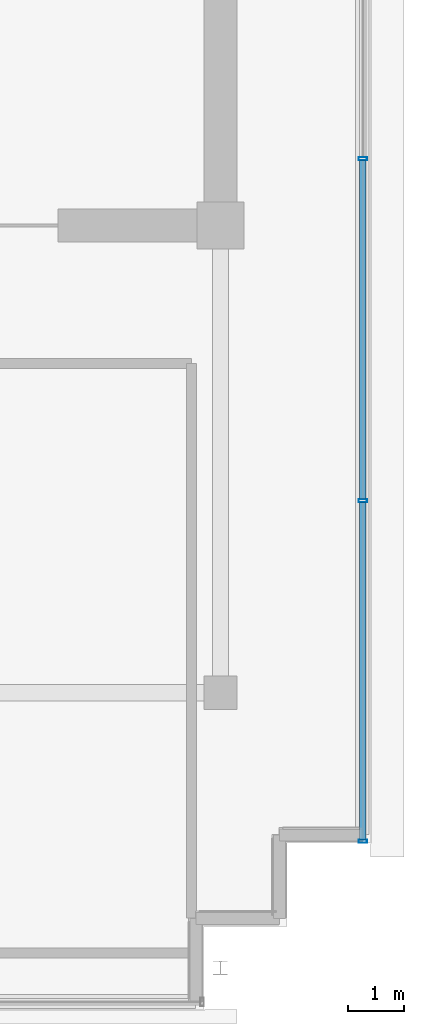
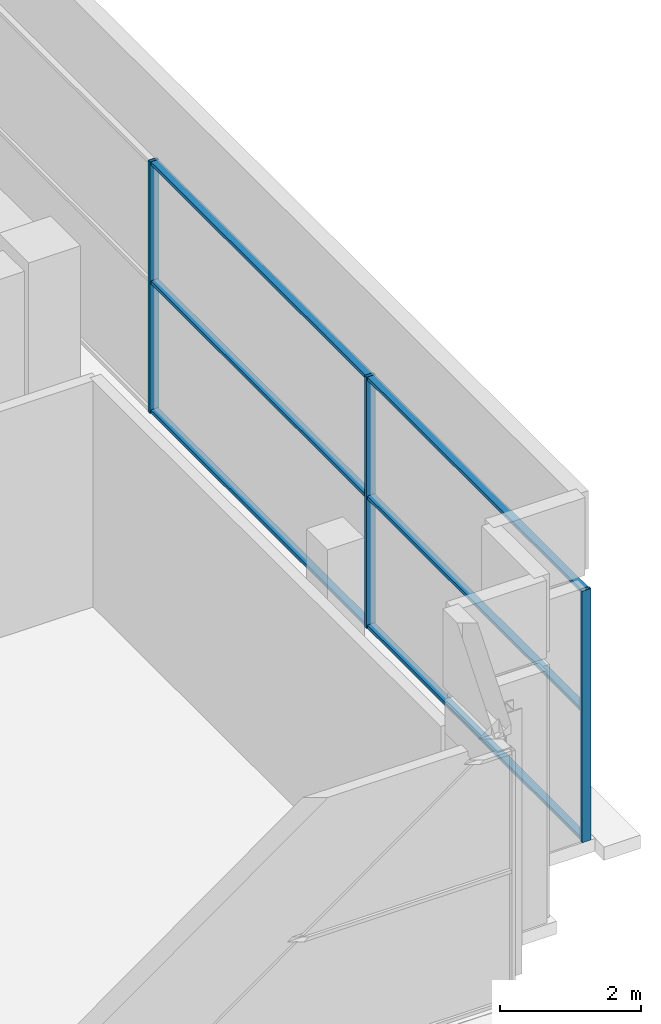
# One storey, part 17 of 22: 9 members, 1 element without a shape of its own.
"""IFC4 building model written with IfcOpenShell, lengths in metres."""

import ifcopenshell
import ifcopenshell.guid

model = None  # the IFC model being written
_history = None  # IfcOwnerHistory: only IFC2X3 demands one
_inside = {}  # id of a spatial element -> (the spatial element, [elements in it])
_under = {}  # id of a project, library or spatial element -> (it, [spatial elements below it])
_declared = {}  # id of a project -> (the project, [libraries it declares])
_typed = {}  # id of a type object -> (the type object, [elements of that type])
_made_of = {}  # id of a material, layer set ... -> (it, [elements and type objects made of it])


def new_model(schema):
    """Start an empty IFC model of exactly this schema.

    Asked for "IFC4X3", IfcOpenShell would pick the latest addendum, in which some entities
    have other attributes; the version numbers below select the first issue.
    IFC2X3 requires an IfcOwnerHistory on every rooted entity: one is made here for all.
    """
    global model, _history
    if schema == "IFC4X3":
        model = ifcopenshell.file(schema_version=(4, 3, 0, 0))
    else:
        model = ifcopenshell.file(schema=schema)
    _inside.clear()
    _under.clear()
    _declared.clear()
    _typed.clear()
    _made_of.clear()
    _history = None
    if model.schema == "IFC2X3":
        org = make("IfcOrganization", Name="unknown")
        user = make(
            "IfcPersonAndOrganization",
            ThePerson=make("IfcPerson", FamilyName="unknown"),
            TheOrganization=org,
        )
        app = make(
            "IfcApplication",
            ApplicationDeveloper=org,
            Version="unknown",
            ApplicationFullName="unknown",
            ApplicationIdentifier="unknown",
        )
        _history = make(
            "IfcOwnerHistory",
            OwningUser=user,
            OwningApplication=app,
            ChangeAction="ADDED",
            CreationDate=0,
        )
    return model


def make(cls, **values):
    """One entity of the class cls with the attributes given. An attribute that is None is left unset."""
    return model.create_entity(
        cls, **{name: value for name, value in values.items() if value is not None}
    )


def rooted(cls, **values):
    """An entity with a GlobalId (a new one), such as an element, a storey or a relation."""
    return make(cls, GlobalId=ifcopenshell.guid.new(), OwnerHistory=_history, **values)


def si_unit(unit_type, name, prefix=None):
    """IfcSIUnit, for example si_unit("LENGTHUNIT", "METRE", prefix="MILLI")."""
    return make("IfcSIUnit", UnitType=unit_type, Prefix=prefix, Name=name)


def assignment(units):
    """IfcUnitAssignment: the units of a project."""
    return None if units is None else make("IfcUnitAssignment", Units=units)


def point(xyz):
    """IfcCartesianPoint."""
    return None if xyz is None else make("IfcCartesianPoint", Coordinates=xyz)


def direction(xyz):
    """IfcDirection."""
    return None if xyz is None else make("IfcDirection", DirectionRatios=xyz)


def frame(location, z_axis=None, x_axis=None):
    """IfcAxis2Placement3D, a coordinate frame: its origin and axes. An axis left out is left unset."""
    return make(
        "IfcAxis2Placement3D",
        Location=point(location),
        Axis=direction(z_axis),
        RefDirection=direction(x_axis),
    )


def frame_2d(location, x_axis=None):
    """IfcAxis2Placement2D, a coordinate frame in the plane: its origin and x axis."""
    return make(
        "IfcAxis2Placement2D", Location=point(location), RefDirection=direction(x_axis)
    )


def origin():
    """The frame at (0, 0, 0) with its axes left unset."""
    return frame((0.0, 0.0, 0.0))


def origin_2d():
    """The frame at (0, 0) in the plane with its x axis left unset."""
    return frame_2d((0.0, 0.0))


def place(relative_to, where):
    """IfcLocalPlacement: puts the frame where relative to a parent placement (None: the world)."""
    return make(
        "IfcLocalPlacement", PlacementRelTo=relative_to, RelativePlacement=where
    )


def context(
    kind, dimensions, precision=None, world=None, true_north=None, identifier=None
):
    """IfcGeometricRepresentationContext, for example the 3D "Model" context."""
    return make(
        "IfcGeometricRepresentationContext",
        ContextIdentifier=identifier,
        ContextType=kind,
        CoordinateSpaceDimension=dimensions,
        Precision=precision,
        WorldCoordinateSystem=world,
        TrueNorth=true_north,
    )


def subcontext(parent, identifier, kind, view, scale=None):
    """IfcGeometricRepresentationSubContext, for example "Body" below "Model"."""
    return make(
        "IfcGeometricRepresentationSubContext",
        ContextIdentifier=identifier,
        ContextType=kind,
        ParentContext=parent,
        TargetScale=scale,
        TargetView=view,
    )


def project(units=None, contexts=None):
    """IfcProject with its units and contexts."""
    return rooted(
        "IfcProject",
        Name="project",
        RepresentationContexts=contexts,
        UnitsInContext=assignment(units),
    )


def spatial(cls, under=None, at=None, **own):
    """A site, building, storey or space (cls), placed at a placement, below another one or the project."""
    s = rooted(cls, ObjectPlacement=at, **own)
    if under is not None:
        _under.setdefault(under.id(), (under, []))[1].append(s)
    return s


def profile(cls, at=None, kind="AREA", **sizes):
    """A parametric profile (cls). Its sizes go by their IFC names, for example OverallWidth=200.0."""
    return make(cls, ProfileType=kind, Position=at, **sizes)


def hollow_rectangle(**sizes):
    """IfcRectangleHollowProfileDef."""
    return profile("IfcRectangleHollowProfileDef", **sizes)


def extrude(swept, where, along, depth):
    """IfcExtrudedAreaSolid: the profile swept, set in the frame where, extruded along a direction by depth."""
    return make(
        "IfcExtrudedAreaSolid",
        SweptArea=swept,
        Position=where,
        ExtrudedDirection=direction(along),
        Depth=depth,
    )


def shape(context_of_items, identifier, shape_type, items):
    """IfcShapeRepresentation: the items that make up one representation, for example the "Body"."""
    return make(
        "IfcShapeRepresentation",
        ContextOfItems=context_of_items,
        RepresentationIdentifier=identifier,
        RepresentationType=shape_type,
        Items=items,
    )


def source(mapping_origin, context_of_items, identifier, shape_type, items):
    """IfcRepresentationMap: a shape defined once, which mapped items show again and again."""
    return make(
        "IfcRepresentationMap",
        MappingOrigin=mapping_origin,
        MappedRepresentation=shape(context_of_items, identifier, shape_type, items),
    )


def transform(
    local_origin,
    x_axis=None,
    y_axis=None,
    z_axis=None,
    scale=None,
    scale2=None,
    scale3=None,
    uniform=True,
):
    """IfcCartesianTransformationOperator3D, or its non-uniform kind. x_axis, y_axis, z_axis: its Axis1, 2, 3."""
    if uniform:
        return make(
            "IfcCartesianTransformationOperator3D",
            Axis1=direction(x_axis),
            Axis2=direction(y_axis),
            LocalOrigin=point(local_origin),
            Scale=scale,
            Axis3=direction(z_axis),
        )
    return make(
        "IfcCartesianTransformationOperator3DnonUniform",
        Axis1=direction(x_axis),
        Axis2=direction(y_axis),
        LocalOrigin=point(local_origin),
        Scale=scale,
        Axis3=direction(z_axis),
        Scale2=scale2,
        Scale3=scale3,
    )


def mapped(mapping_source, mapping_target):
    """IfcMappedItem: shows the shape of a source again, moved by a transform."""
    return make(
        "IfcMappedItem", MappingSource=mapping_source, MappingTarget=mapping_target
    )


def material(Name=None, Category=None):
    """IfcMaterial."""
    return make("IfcMaterial", Name=Name, Category=Category)


def layer(
    of_material, thickness, ventilated=None, Name=None, Category=None, Priority=None
):
    """IfcMaterialLayer: one layer of a wall or slab, of a material (None: an air gap)."""
    return make(
        "IfcMaterialLayer",
        Material=of_material,
        LayerThickness=thickness,
        IsVentilated=ventilated,
        Name=Name,
        Category=Category,
        Priority=Priority,
    )


def layer_set(layers, Name=None):
    """IfcMaterialLayerSet."""
    return make("IfcMaterialLayerSet", MaterialLayers=layers, LayerSetName=Name)


def material_profile(
    of_material, cross_section, Name=None, Category=None, Priority=None
):
    """IfcMaterialProfile: a cross section and its material."""
    return make(
        "IfcMaterialProfile",
        Name=Name,
        Material=of_material,
        Profile=cross_section,
        Priority=Priority,
        Category=Category,
    )


def profile_set(profiles, Name=None, composite=None):
    """IfcMaterialProfileSet."""
    return make(
        "IfcMaterialProfileSet",
        Name=Name,
        MaterialProfiles=profiles,
        CompositeProfile=composite,
    )


def made_of(thing, what):
    """Note that an element or type object is made of a material, layer set ...; save() writes the relation."""
    if what is not None:
        _made_of.setdefault(what.id(), (what, []))[1].append(thing)
    return thing


def type_object(cls, material=None, **own):
    """A type object (cls), such as IfcWallType, which elements share."""
    return made_of(rooted(cls, **own), material)


def element(
    cls,
    number,
    at=None,
    inside=None,
    cuts=None,
    type_object=None,
    material=None,
    context=None,
    identifier="Body",
    shape_type=None,
    held_by="IfcProductDefinitionShape",
    body=None,
    shapes=None,
    **own,
):
    """One element of the class cls, such as IfcWall. Its Tag is "e" and its number.

    at: its placement. inside: the storey or other place that contains it. cuts: it is an
    opening in that element (IfcRelVoidsElement). A single representation is given by context,
    identifier, shape_type and body (its items); several are given by shapes. held_by: the class
    of the entity that holds the representations. save() writes the other relations.
    """
    e = rooted(cls, Tag="e%d" % number, ObjectPlacement=at, **own)
    if body is not None:
        shapes = [shape(context, identifier, shape_type, body)]
    if shapes is not None:
        e.Representation = make(held_by, Representations=shapes)
    if inside is not None:
        _inside.setdefault(inside.id(), (inside, []))[1].append(e)
    if cuts is not None:
        rooted(
            "IfcRelVoidsElement", RelatingBuildingElement=cuts, RelatedOpeningElement=e
        )
    if type_object is not None:
        _typed.setdefault(type_object.id(), (type_object, []))[1].append(e)
    return made_of(e, material)


def aggregate(whole, parts):
    """IfcRelAggregates: a whole, such as a stair, and the parts it consists of."""
    return rooted("IfcRelAggregates", RelatingObject=whole, RelatedObjects=parts)


def save(model, path):
    """Write the relations noted so far, then the file.

    IfcRelAggregates (storeys below a building ...), IfcRelContainedInSpatialStructure (elements
    in a storey), IfcRelDefinesByType, IfcRelAssociatesMaterial and IfcRelDeclares: one each for
    every whole, place, type object, material and project.
    """
    for whole, parts in _under.values():
        aggregate(whole, parts)
    for where, things in _inside.values():
        rooted(
            "IfcRelContainedInSpatialStructure",
            RelatedElements=things,
            RelatingStructure=where,
        )
    for kind, things in _typed.values():
        rooted("IfcRelDefinesByType", RelatedObjects=things, RelatingType=kind)
    for what, things in _made_of.values():
        rooted("IfcRelAssociatesMaterial", RelatedObjects=things, RelatingMaterial=what)
    for by, libraries in _declared.values():
        rooted("IfcRelDeclares", RelatingContext=by, RelatedDefinitions=libraries)
    model.write(path)


model = new_model("IFC4")

# Units and contexts
model_context = context("Model", 3, precision=1e-05, world=origin(), true_north=direction((0.0, 1.0)))
body_context = subcontext(model_context, "Body", "Model", "MODEL_VIEW")
ifc_project = project(units=[si_unit("LENGTHUNIT", "METRE"), si_unit("AREAUNIT", "SQUARE_METRE"), si_unit("VOLUMEUNIT", "CUBIC_METRE"), si_unit("PLANEANGLEUNIT", "RADIAN"), si_unit("MASSUNIT", "GRAM", prefix="KILO")], contexts=[model_context])

# Site, building, storey
site_placement = place(None, origin())
site = spatial("IfcSite", under=ifc_project, at=site_placement, CompositionType="ELEMENT")
building_placement = place(site_placement, origin())
building = spatial("IfcBuilding", under=site, at=building_placement, Name="Zarnakvel Exchange Tower", CompositionType="ELEMENT")
storey_placement = place(building_placement, frame((0.0, 0.0, 299.199951171875)))
storey = spatial("IfcBuildingStorey", under=building, at=storey_placement, Name="Crown L83", CompositionType="ELEMENT", Elevation=299.199951171875)

# Curtain wall, members
ifc_material = material(Name="Architectural Bronze Anodised Aluminium", Category="aluminium")
ifc_layer = layer(ifc_material, 0.14990234375)
ifc_layer_set = layer_set([ifc_layer], Name="Architectural Bronze Anodised Aluminium")
curtain_wall_type = type_object("IfcCurtainWallType", Name="CW-07", PredefinedType="NOTDEFINED", material=ifc_layer_set)
curtain_wall_placement = place(storey_placement, origin())
curtain_wall = element("IfcCurtainWall", 1, at=curtain_wall_placement, inside=storey, type_object=curtain_wall_type, Name="Crown L83 Curtain Wall CW-Crown L83-E (CW-07)", PredefinedType="NOTDEFINED")
ifc_material_profile_1 = material_profile(ifc_material, hollow_rectangle(XDim=0.14990234375, YDim=0.06005859375, WallThickness=0.00390625, at=origin_2d()))
ifc_profile_set_1 = profile_set([ifc_material_profile_1], Name="Architectural Bronze Anodised Aluminium")
member_type_1 = type_object("IfcMemberType", Name="CWM-07", PredefinedType="MULLION", material=ifc_profile_set_1)
shared_shape_1 = source(origin(), body_context, "Body", "SweptSolid", [
    extrude(hollow_rectangle(XDim=0.14990234375, YDim=0.06005859375, WallThickness=0.00390625, at=origin_2d()), origin(), (0.0, 0.0, 1.0), 4.360107421875),
])
member_1_placement = place(storey_placement, frame((16.9599609375, -12.27001953125, 0.0), z_axis=(0.0, 0.0, 1.0), x_axis=(-1.0, 0.0, 0.0)))
member_1 = element("IfcMember", 2, at=member_1_placement, type_object=member_type_1, Name="CW-07 mullion 1", PredefinedType="MULLION", context=body_context, shape_type="MappedRepresentation", body=[
    mapped(shared_shape_1, transform((0.0, 0.0, 0.0), x_axis=(1.0, 0.0, 0.0), y_axis=(0.0, 1.0, 0.0), z_axis=(0.0, 0.0, 1.0), scale=1.0)),
])
member_2_placement = place(storey_placement, frame((16.9599609375, -6.14990234375, 0.0), z_axis=(0.0, 0.0, 1.0), x_axis=(-1.0, 0.0, 0.0)))
member_2 = element("IfcMember", 3, at=member_2_placement, type_object=member_type_1, Name="CW-07 mullion 2", PredefinedType="MULLION", context=body_context, shape_type="MappedRepresentation", body=[
    mapped(shared_shape_1, transform((0.0, 0.0, 0.0), x_axis=(1.0, 0.0, 0.0), y_axis=(0.0, 1.0, 0.0), z_axis=(0.0, 0.0, 1.0), scale=1.0)),
])
member_3_placement = place(storey_placement, frame((16.9599609375, 0.0, 0.0), z_axis=(0.0, 0.0, 1.0), x_axis=(-1.0, 0.0, 0.0)))
member_3 = element("IfcMember", 4, at=member_3_placement, type_object=member_type_1, Name="CW-07 mullion 3", PredefinedType="MULLION", context=body_context, shape_type="MappedRepresentation", body=[
    mapped(shared_shape_1, transform((0.0, 0.0, 0.0), x_axis=(1.0, 0.0, 0.0), y_axis=(0.0, 1.0, 0.0), z_axis=(0.0, 0.0, 1.0), scale=1.0)),
])
ifc_material_profile_2 = material_profile(ifc_material, hollow_rectangle(XDim=0.1201171875, YDim=0.06005859375, WallThickness=0.00390625, at=origin_2d()))
ifc_profile_set_2 = profile_set([ifc_material_profile_2], Name="Architectural Bronze Anodised Aluminium")
member_type_2 = type_object("IfcMemberType", Name="CWT-07", PredefinedType="USERDEFINED", material=ifc_profile_set_2)
shared_shape_2 = source(origin(), body_context, "Body", "SweptSolid", [
    extrude(hollow_rectangle(XDim=0.1201171875, YDim=0.06005859375, WallThickness=0.00390625, at=origin_2d()), origin(), (0.0, 0.0, 1.0), 6.06005859375),
])
member_4_placement = place(storey_placement, frame((16.9599609375, -12.239990234375, 0.030029296875), z_axis=(0.0, 1.0, 0.0), x_axis=(-1.0, 0.0, 0.0)))
member_4 = element("IfcMember", 5, at=member_4_placement, type_object=member_type_2, Name="CW-07 transom 1.1", ObjectType="TRANSOM", PredefinedType="USERDEFINED", context=body_context, shape_type="MappedRepresentation", body=[
    mapped(shared_shape_2, transform((0.0, 0.0, 0.0), x_axis=(1.0, 0.0, 0.0), y_axis=(0.0, 1.0, 0.0), z_axis=(0.0, 0.0, 1.0), scale=1.0)),
])
member_5_placement = place(storey_placement, frame((16.9599609375, -12.239990234375, 2.267333984375), z_axis=(0.0, 1.0, 0.0), x_axis=(-1.0, 0.0, 0.0)))
member_5 = element("IfcMember", 6, at=member_5_placement, type_object=member_type_2, Name="CW-07 transom 1.2", ObjectType="TRANSOM", PredefinedType="USERDEFINED", context=body_context, shape_type="MappedRepresentation", body=[
    mapped(shared_shape_2, transform((0.0, 0.0, 0.0), x_axis=(1.0, 0.0, 0.0), y_axis=(0.0, 1.0, 0.0), z_axis=(0.0, 0.0, 1.0), scale=1.0)),
])
member_6_placement = place(storey_placement, frame((16.9599609375, -12.239990234375, 4.330078125), z_axis=(0.0, 1.0, 0.0), x_axis=(-1.0, 0.0, 0.0)))
member_6 = element("IfcMember", 7, at=member_6_placement, type_object=member_type_2, Name="CW-07 transom 1.3", ObjectType="TRANSOM", PredefinedType="USERDEFINED", context=body_context, shape_type="MappedRepresentation", body=[
    mapped(shared_shape_2, transform((0.0, 0.0, 0.0), x_axis=(1.0, 0.0, 0.0), y_axis=(0.0, 1.0, 0.0), z_axis=(0.0, 0.0, 1.0), scale=1.0)),
])
shared_shape_3 = source(origin(), body_context, "Body", "SweptSolid", [
    extrude(hollow_rectangle(XDim=0.1201171875, YDim=0.06005859375, WallThickness=0.00390625, at=origin_2d()), origin(), (0.0, 0.0, 1.0), 6.090087890625),
])
member_7_placement = place(storey_placement, frame((16.9599609375, -6.1201171875, 0.030029296875), z_axis=(0.0, 1.0, 0.0), x_axis=(-1.0, 0.0, 0.0)))
member_7 = element("IfcMember", 8, at=member_7_placement, type_object=member_type_2, Name="CW-07 transom 2.1", ObjectType="TRANSOM", PredefinedType="USERDEFINED", context=body_context, shape_type="MappedRepresentation", body=[
    mapped(shared_shape_3, transform((0.0, 0.0, 0.0), x_axis=(1.0, 0.0, 0.0), y_axis=(0.0, 1.0, 0.0), z_axis=(0.0, 0.0, 1.0), scale=1.0)),
])
member_8_placement = place(storey_placement, frame((16.9599609375, -6.1201171875, 2.267333984375), z_axis=(0.0, 1.0, 0.0), x_axis=(-1.0, 0.0, 0.0)))
member_8 = element("IfcMember", 9, at=member_8_placement, type_object=member_type_2, Name="CW-07 transom 2.2", ObjectType="TRANSOM", PredefinedType="USERDEFINED", context=body_context, shape_type="MappedRepresentation", body=[
    mapped(shared_shape_3, transform((0.0, 0.0, 0.0), x_axis=(1.0, 0.0, 0.0), y_axis=(0.0, 1.0, 0.0), z_axis=(0.0, 0.0, 1.0), scale=1.0)),
])
member_9_placement = place(storey_placement, frame((16.9599609375, -6.1201171875, 4.330078125), z_axis=(0.0, 1.0, 0.0), x_axis=(-1.0, 0.0, 0.0)))
member_9 = element("IfcMember", 10, at=member_9_placement, type_object=member_type_2, Name="CW-07 transom 2.3", ObjectType="TRANSOM", PredefinedType="USERDEFINED", context=body_context, shape_type="MappedRepresentation", body=[
    mapped(shared_shape_3, transform((0.0, 0.0, 0.0), x_axis=(1.0, 0.0, 0.0), y_axis=(0.0, 1.0, 0.0), z_axis=(0.0, 0.0, 1.0), scale=1.0)),
])
aggregate(curtain_wall, [member_1, member_2, member_3, member_4, member_5, member_6, member_7, member_8, member_9])

save(model, "model.ifc")
